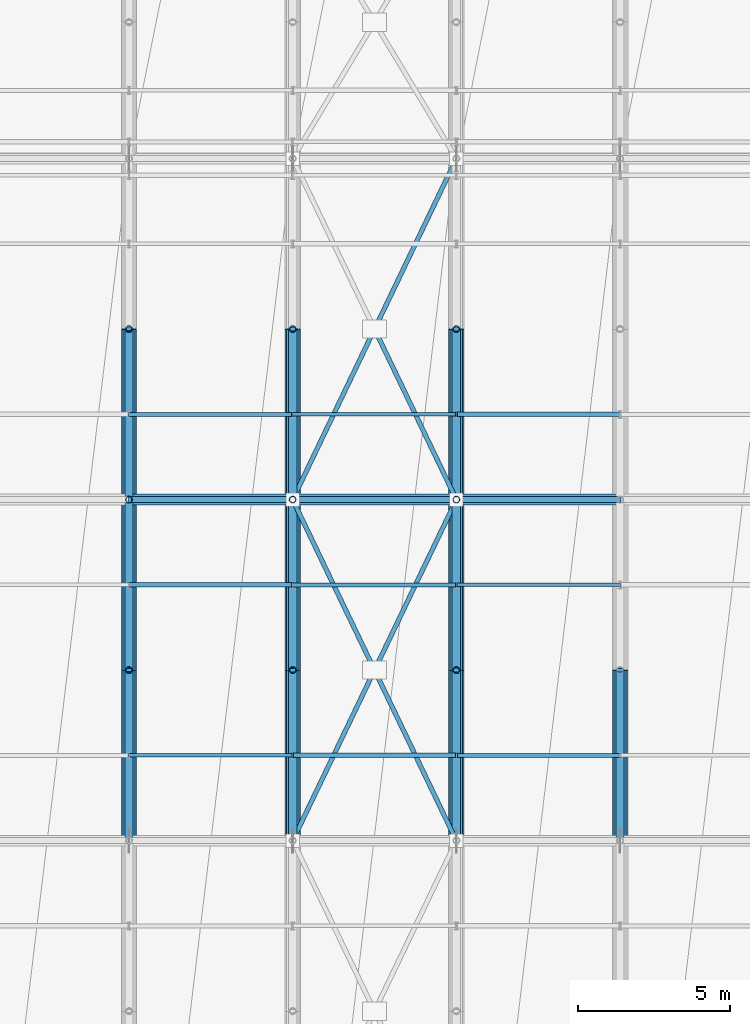
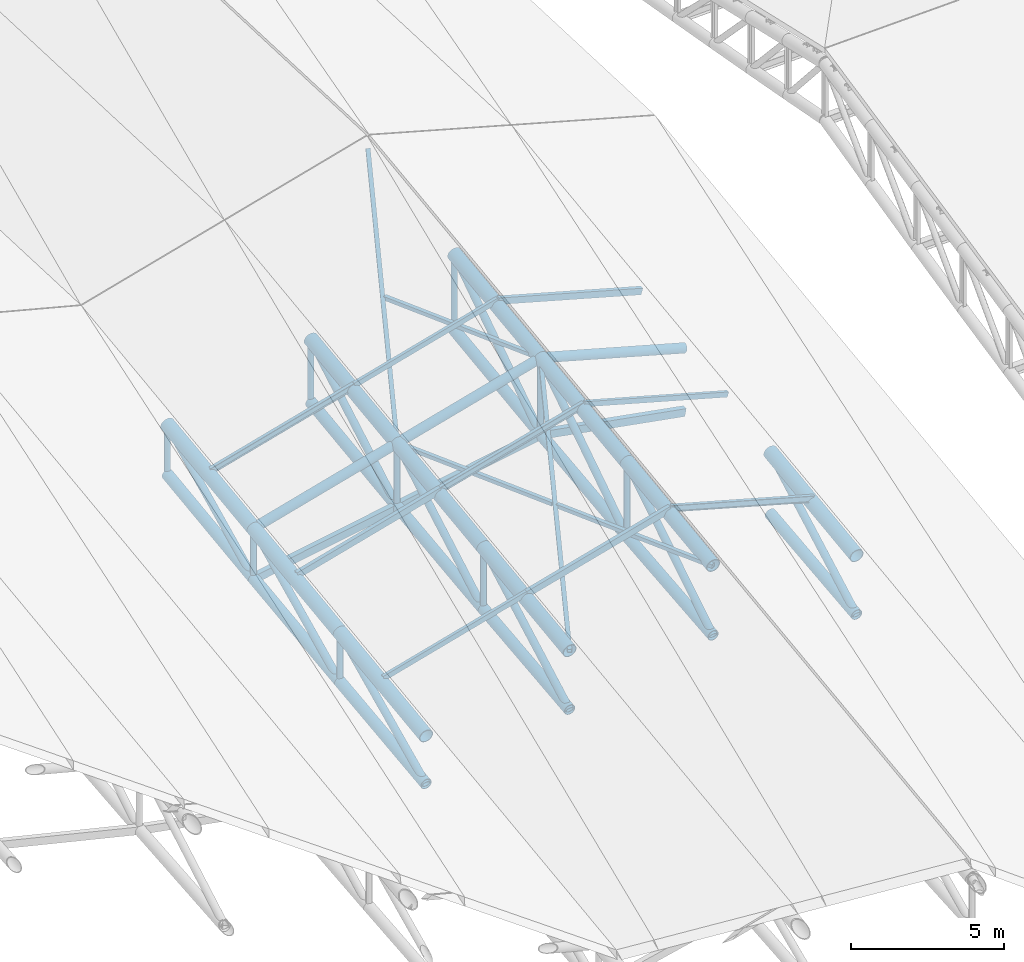
# One storey, part 41 of 109: 39 members, 20 beams.
"""IFC4 building model written with IfcOpenShell, lengths in metres."""

from ifc_helpers import new_model, si_unit, direction, frame, origin, origin_2d, place, context, subcontext, project, spatial, hollow_rectangle, hollow_circle, i_section, extrude, material, material_profile, profile_set, type_object, element, save


model = new_model("IFC4")

# Units and contexts
model_context = context("Model", 3, precision=1e-05, world=origin(), true_north=direction((0.0, 1.0)))
body_context = subcontext(model_context, "Body", "Model", "MODEL_VIEW")
ifc_project = project(units=[si_unit("LENGTHUNIT", "METRE"), si_unit("AREAUNIT", "SQUARE_METRE"), si_unit("VOLUMEUNIT", "CUBIC_METRE"), si_unit("PLANEANGLEUNIT", "RADIAN"), si_unit("MASSUNIT", "GRAM", prefix="KILO")], contexts=[model_context])

# Site, building, storey
site_placement = place(None, origin())
site = spatial("IfcSite", under=ifc_project, at=site_placement, CompositionType="ELEMENT")
building_placement = place(site_placement, origin())
building = spatial("IfcBuilding", under=site, at=building_placement, Name="Suirenkawa Promenade Aquatics Centre", CompositionType="ELEMENT")
storey_placement = place(building_placement, frame((0.0, 0.0, 22.800048828125)))
storey = spatial("IfcBuildingStorey", under=building, at=storey_placement, Name="ROOF", CompositionType="ELEMENT", Elevation=22.800048828125)

# Beams
ifc_material = material(Name="Steel IS 2062 E350 (Grade 350)", Category="steel")
ifc_material_profile_1 = material_profile(ifc_material, hollow_circle(Radius=0.202880859375, WallThickness=0.01806640625, at=origin_2d()), Name="CHS 406x18", Category="steel")
ifc_profile_set_1 = profile_set([ifc_material_profile_1], Name="Steel IS 2062 E350 (Grade 350)")
beam_type_1 = type_object("IfcBeamType", Name="BT-BC-CHS406", PredefinedType="BEAM", material=ifc_profile_set_1)
beam_1_placement = place(storey_placement, frame((133.199951171875, 72.89990234375, -14.008056640625), z_axis=(0.0, 0.993022923404, 0.117921472154), x_axis=(-1.0, 0.0, 0.0)))
element("IfcBeam", 1, at=beam_1_placement, inside=storey, type_object=beam_type_1, Name="ROOF TRUSS V1 bottom chord BC-01 BM-2264", PredefinedType="BEAM", context=body_context, shape_type="SweptSolid", body=[
    extrude(hollow_circle(Radius=0.202880859375, WallThickness=0.01806640625, at=origin_2d()), origin(), (0.0, 0.0, 1.0), 5.66455078125),
])
beam_2_placement = place(storey_placement, frame((133.199951171875, 78.52490234375, -13.340087890625), z_axis=(0.0, 0.992409843622, 0.122974396855), x_axis=(-1.0, 0.0, 0.0)))
element("IfcBeam", 2, at=beam_2_placement, inside=storey, type_object=beam_type_1, Name="ROOF TRUSS V1 bottom chord BC-01 BM-2266", PredefinedType="BEAM", context=body_context, shape_type="SweptSolid", body=[
    extrude(hollow_circle(Radius=0.202880859375, WallThickness=0.01806640625, at=origin_2d()), origin(), (0.0, 0.0, 1.0), 5.66796875),
])
beam_3_placement = place(storey_placement, frame((133.199951171875, 84.14990234375, -12.64306640625), z_axis=(0.0, 0.991706164536, 0.128525807609), x_axis=(-1.0, 0.0, 0.0)))
element("IfcBeam", 3, at=beam_3_placement, inside=storey, type_object=beam_type_1, Name="ROOF TRUSS V1 bottom chord BC-01 BM-2268", PredefinedType="BEAM", context=body_context, shape_type="SweptSolid", body=[
    extrude(hollow_circle(Radius=0.202880859375, WallThickness=0.01806640625, at=origin_2d()), origin(), (0.0, 0.0, 1.0), 5.672119140625),
])
beam_4_placement = place(storey_placement, frame((138.60009765625, 72.89990234375, -12.945068359375), z_axis=(0.0, 0.99415070903, 0.108001702461), x_axis=(-1.0, 0.0, 0.0)))
element("IfcBeam", 4, at=beam_4_placement, inside=storey, type_object=beam_type_1, Name="ROOF TRUSS V1 bottom chord BC-01 BM-2292", PredefinedType="BEAM", context=body_context, shape_type="SweptSolid", body=[
    extrude(hollow_circle(Radius=0.202880859375, WallThickness=0.01806640625, at=origin_2d()), origin(), (0.0, 0.0, 1.0), 5.658203125),
])
beam_5_placement = place(storey_placement, frame((138.60009765625, 78.52490234375, -12.333984375), z_axis=(0.0, 0.993002721465, 0.11809146948), x_axis=(-1.0, 0.0, 0.0)))
element("IfcBeam", 5, at=beam_5_placement, inside=storey, type_object=beam_type_1, Name="ROOF TRUSS V1 bottom chord BC-01 BM-2294", PredefinedType="BEAM", context=body_context, shape_type="SweptSolid", body=[
    extrude(hollow_circle(Radius=0.202880859375, WallThickness=0.01806640625, at=origin_2d()), origin(), (0.0, 0.0, 1.0), 5.66455078125),
])
beam_6_placement = place(storey_placement, frame((138.60009765625, 84.14990234375, -11.6650390625), z_axis=(0.0, 0.991662218835, 0.128864439375), x_axis=(-1.0, 0.0, 0.0)))
element("IfcBeam", 6, at=beam_6_placement, inside=storey, type_object=beam_type_1, Name="ROOF TRUSS V1 bottom chord BC-01 BM-2296", PredefinedType="BEAM", context=body_context, shape_type="SweptSolid", body=[
    extrude(hollow_circle(Radius=0.202880859375, WallThickness=0.01806640625, at=origin_2d()), origin(), (0.0, 0.0, 1.0), 5.67236328125),
])
beam_7_placement = place(storey_placement, frame((144.0, 72.89990234375, -11.881103515625), z_axis=(0.0, 0.995219391524, 0.09766454185), x_axis=(-1.0, 0.0, 0.0)))
element("IfcBeam", 7, at=beam_7_placement, inside=storey, type_object=beam_type_1, Name="ROOF TRUSS V1 bottom chord BC-01 BM-2320", PredefinedType="BEAM", context=body_context, shape_type="SweptSolid", body=[
    extrude(hollow_circle(Radius=0.202880859375, WallThickness=0.01806640625, at=origin_2d()), origin(), (0.0, 0.0, 1.0), 5.652099609375),
])
beam_8_placement = place(storey_placement, frame((144.0, 78.52490234375, -11.3291015625), z_axis=(0.0, 0.993547952937, 0.113412808864), x_axis=(-1.0, 0.0, 0.0)))
element("IfcBeam", 8, at=beam_8_placement, inside=storey, type_object=beam_type_1, Name="ROOF TRUSS V1 bottom chord BC-01 BM-2322", PredefinedType="BEAM", context=body_context, shape_type="SweptSolid", body=[
    extrude(hollow_circle(Radius=0.202880859375, WallThickness=0.01806640625, at=origin_2d()), origin(), (0.0, 0.0, 1.0), 5.66162109375),
])
beam_9_placement = place(storey_placement, frame((144.0, 84.14990234375, -10.68701171875), z_axis=(0.0, 0.991596090831, 0.129372302476), x_axis=(-1.0, 0.0, 0.0)))
element("IfcBeam", 9, at=beam_9_placement, inside=storey, type_object=beam_type_1, Name="ROOF TRUSS V1 bottom chord BC-01 BM-2324", PredefinedType="BEAM", context=body_context, shape_type="SweptSolid", body=[
    extrude(hollow_circle(Radius=0.202880859375, WallThickness=0.01806640625, at=origin_2d()), origin(), (0.0, 0.0, 1.0), 5.672607421875),
])
beam_10_placement = place(storey_placement, frame((149.39990234375, 72.89990234375, -12.945068359375), z_axis=(0.0, 0.99415070903, 0.108001702461), x_axis=(-1.0, 0.0, 0.0)))
element("IfcBeam", 10, at=beam_10_placement, inside=storey, type_object=beam_type_1, Name="ROOF TRUSS V1 bottom chord BC-01 BM-2348", PredefinedType="BEAM", context=body_context, shape_type="SweptSolid", body=[
    extrude(hollow_circle(Radius=0.202880859375, WallThickness=0.01806640625, at=origin_2d()), origin(), (0.0, 0.0, 1.0), 5.658203125),
])
ifc_material_profile_2 = material_profile(ifc_material, hollow_circle(Radius=0.25390625, WallThickness=0.02392578125, at=origin_2d()), Name="CHS 508x24", Category="steel")
ifc_profile_set_2 = profile_set([ifc_material_profile_2], Name="Steel IS 2062 E350 (Grade 350)")
beam_type_2 = type_object("IfcBeamType", Name="BT-TC-CHS508", PredefinedType="BEAM", material=ifc_profile_set_2)
for number, where, z_axis, x_axis, name in (
    (11, (133.199951171875, 72.89990234375, -12.10009765625), (0.0, 0.991793720609, 0.127848409297), (-1.0, 0.0, 0.0), "ROOF TRUSS V1 top chord TC-02 BM-2263"),
    (12, (133.199951171875, 78.52490234375, -11.375), (0.0, 0.991799178012, 0.127806065951), (-1.0, 0.0, 0.0), "ROOF TRUSS V1 top chord TC-02 BM-2265"),
    (13, (133.199951171875, 84.14990234375, -10.650146484375), (0.0, 0.991793720609, 0.127848409297), (-1.0, 0.0, 0.0), "ROOF TRUSS V1 top chord TC-02 BM-2267"),
    (14, (138.60009765625, 72.89990234375, -10.60009765625), (0.0, 0.991793720609, 0.127848409297), (-1.0, 0.0, 0.0), "ROOF TRUSS V1 top chord TC-02 BM-2291"),
    (15, (138.60009765625, 78.52490234375, -9.875), (0.0, 0.991799178012, 0.127806065951), (-1.0, 0.0, 0.0), "ROOF TRUSS V1 top chord TC-02 BM-2293"),
    (16, (138.60009765625, 84.14990234375, -9.150146484375), (0.0, 0.991793720609, 0.127848409297), (-1.0, 0.0, 0.0), "ROOF TRUSS V1 top chord TC-02 BM-2295"),
    (17, (144.0, 72.89990234375, -9.10009765625), (0.0, 0.991793720609, 0.127848409297), (-1.0, 0.0, 0.0), "ROOF TRUSS V1 top chord TC-02 BM-2319"),
    (18, (144.0, 78.52490234375, -8.375), (0.0, 0.991799178012, 0.127806065951), (-1.0, 0.0, 0.0), "ROOF TRUSS V1 top chord TC-02 BM-2321"),
    (19, (144.0, 84.14990234375, -7.650146484375), (0.0, 0.991793720609, 0.127848409297), (-1.0, 0.0, 0.0), "ROOF TRUSS V1 top chord TC-02 BM-2323"),
    (20, (149.39990234375, 72.89990234375, -10.60009765625), (0.0, 0.991793720609, 0.127848409297), (-1.0, 0.0, 0.0), "ROOF TRUSS V1 top chord TC-02 BM-2347"),
):
    element("IfcBeam", number, at=place(storey_placement, frame(where, z_axis=z_axis, x_axis=x_axis)), inside=storey, type_object=beam_type_2, Name=name, PredefinedType="BEAM", context=body_context, shape_type="SweptSolid", body=[
        extrude(hollow_circle(Radius=0.25390625, WallThickness=0.02392578125, at=origin_2d()), origin(), (0.0, 0.0, 1.0), 5.671630859375),
    ])

# Members
ifc_material_profile_3 = material_profile(ifc_material, hollow_rectangle(XDim=0.14990234375, YDim=0.14990234375, WallThickness=0.008056640625, at=origin_2d()), Name="SHS 150x150x8", Category="steel")
ifc_profile_set_3 = profile_set([ifc_material_profile_3], Name="Steel IS 2062 E350 (Grade 350)")
member_type_1 = type_object("IfcMemberType", Name="MT-BRACE-SHS150", PredefinedType="BRACE", material=ifc_profile_set_3)
member_1_placement = place(storey_placement, frame((138.60009765625, 72.89990234375, -10.60009765625), z_axis=(0.421117950341, 0.877344929548, 0.230055529161), x_axis=(-0.901526110403, 0.432724707246, 0.0)))
element("IfcMember", 21, at=member_1_placement, inside=storey, type_object=member_type_1, Name="ROOF TRUSS V1 continuous plan brace BF-02 MB-0959", PredefinedType="BRACE", context=body_context, shape_type="SweptSolid", body=[
    extrude(hollow_rectangle(XDim=0.14990234375, YDim=0.14990234375, WallThickness=0.008056640625, at=origin_2d()), origin(), (0.0, 0.0, 1.0), 12.82275390625),
])
member_2_placement = place(storey_placement, frame((144.0, 72.89990234375, -9.10009765625), z_axis=(-0.432727524929, 0.901515676935, -0.004046406999), x_axis=(-0.901523057468, -0.432731067585, 0.0)))
element("IfcMember", 22, at=member_2_placement, inside=storey, type_object=member_type_1, Name="ROOF TRUSS V1 split plan brace A BF-02 MB-0960", PredefinedType="BRACE", context=body_context, shape_type="SweptSolid", body=[
    extrude(hollow_rectangle(XDim=0.14990234375, YDim=0.14990234375, WallThickness=0.008056640625, at=origin_2d()), origin(), (0.0, 0.0, 1.0), 6.154296875),
])
member_3_placement = place(storey_placement, frame((141.262939453125, 78.60205078125, -9.125), z_axis=(-0.432710687901, 0.901523578607, -0.004086293284), x_axis=(-0.901531105428, -0.432714300603, 0.0)))
element("IfcMember", 23, at=member_3_placement, inside=storey, type_object=member_type_1, Name="ROOF TRUSS V1 split plan brace B BF-02 MB-0961", PredefinedType="BRACE", context=body_context, shape_type="SweptSolid", body=[
    extrude(hollow_rectangle(XDim=0.14990234375, YDim=0.14990234375, WallThickness=0.008056640625, at=origin_2d()), origin(), (0.0, 0.0, 1.0), 6.15380859375),
])
member_4_placement = place(storey_placement, frame((138.60009765625, 84.14990234375, -9.150146484375), z_axis=(0.421116105711, 0.877341086497, 0.230073560964), x_axis=(-0.901526110403, 0.432724707246, 0.0)))
element("IfcMember", 24, at=member_4_placement, inside=storey, type_object=member_type_1, Name="ROOF TRUSS V1 continuous plan brace BF-02 MB-0962", PredefinedType="BRACE", context=body_context, shape_type="SweptSolid", body=[
    extrude(hollow_rectangle(XDim=0.14990234375, YDim=0.14990234375, WallThickness=0.008056640625, at=origin_2d()), origin(), (0.0, 0.0, 1.0), 12.82275390625),
])
member_5_placement = place(storey_placement, frame((144.0, 84.14990234375, -7.650146484375), z_axis=(-0.432727524929, 0.901515676935, -0.004046406999), x_axis=(-0.901523057468, -0.432731067585, 0.0)))
element("IfcMember", 25, at=member_5_placement, inside=storey, type_object=member_type_1, Name="ROOF TRUSS V1 split plan brace A BF-02 MB-0963", PredefinedType="BRACE", context=body_context, shape_type="SweptSolid", body=[
    extrude(hollow_rectangle(XDim=0.14990234375, YDim=0.14990234375, WallThickness=0.008056640625, at=origin_2d()), origin(), (0.0, 0.0, 1.0), 6.154296875),
])
ifc_material_profile_4 = material_profile(ifc_material, hollow_circle(Radius=0.177978515625, WallThickness=0.01611328125, at=origin_2d()), Name="CHS 356x16", Category="steel")
ifc_profile_set_4 = profile_set([ifc_material_profile_4], Name="Steel IS 2062 E350 (Grade 350)")
member_type_2 = type_object("IfcMemberType", Name="MT-CHORD-CHS356", PredefinedType="CHORD", material=ifc_profile_set_4)
member_6_placement = place(storey_placement, frame((133.199951171875, 84.14990234375, -10.650146484375), z_axis=(0.963519781844, 0.0, 0.267637123724), x_axis=(0.0, 1.0, 0.0)))
element("IfcMember", 26, at=member_6_placement, inside=storey, type_object=member_type_2, Name="ROOF TRUSS V1 tie chord CH-02 MB-0800", PredefinedType="CHORD", context=body_context, shape_type="SweptSolid", body=[
    extrude(hollow_circle(Radius=0.177978515625, WallThickness=0.01611328125, at=origin_2d()), origin(), (0.0, 0.0, 1.0), 5.6044921875),
])
for number, where, z_axis, x_axis, name in (
    (27, (138.60009765625, 84.14990234375, -9.150146484375), (0.963516661409, 0.0, 0.267648357342), (0.0, 1.0, 0.0), "ROOF TRUSS V1 tie chord CH-02 MB-0802"),
    (28, (144.0, 84.14990234375, -7.650146484375), (0.963516661409, 0.0, -0.267648357342), (0.0, 1.0, 0.0), "ROOF TRUSS V1 tie chord CH-02 MB-0804"),
):
    element("IfcMember", number, at=place(storey_placement, frame(where, z_axis=z_axis, x_axis=x_axis)), inside=storey, type_object=member_type_2, Name=name, PredefinedType="CHORD", context=body_context, shape_type="SweptSolid", body=[
        extrude(hollow_circle(Radius=0.177978515625, WallThickness=0.01611328125, at=origin_2d()), origin(), (0.0, 0.0, 1.0), 5.604248046875),
    ])
ifc_material_profile_5 = material_profile(ifc_material, hollow_rectangle(XDim=0.199951171875, YDim=0.300048828125, WallThickness=0.011962890625, at=origin_2d()), Name="RHS 300x200x12", Category="steel")
ifc_profile_set_5 = profile_set([ifc_material_profile_5], Name="Steel IS 2062 E350 (Grade 350)")
member_type_3 = type_object("IfcMemberType", Name="MT-CHORD-RHS300", PredefinedType="CHORD", material=ifc_profile_set_5)
member_7_placement = place(storey_placement, frame((133.199951171875, 84.14990234375, -12.64306640625), z_axis=(0.983992105939, 0.0, 0.178212051919), x_axis=(0.0, 1.0, 0.0)))
element("IfcMember", 29, at=member_7_placement, inside=storey, type_object=member_type_3, Name="ROOF TRUSS V1 bottom tie CH-03 MB-0801", PredefinedType="CHORD", context=body_context, shape_type="SweptSolid", body=[
    extrude(hollow_rectangle(XDim=0.199951171875, YDim=0.300048828125, WallThickness=0.011962890625, at=origin_2d()), origin(), (0.0, 0.0, 1.0), 5.488037109375),
])
for number, where, z_axis, x_axis, name in (
    (30, (138.60009765625, 84.14990234375, -11.6650390625), (0.983990692983, 0.0, 0.178219853336), (0.0, 1.0, 0.0), "ROOF TRUSS V1 bottom tie CH-03 MB-0803"),
    (31, (144.0, 84.14990234375, -10.68701171875), (0.983990692983, 0.0, -0.178219853336), (0.0, 1.0, 0.0), "ROOF TRUSS V1 bottom tie CH-03 MB-0805"),
):
    element("IfcMember", number, at=place(storey_placement, frame(where, z_axis=z_axis, x_axis=x_axis)), inside=storey, type_object=member_type_3, Name=name, PredefinedType="CHORD", context=body_context, shape_type="SweptSolid", body=[
        extrude(hollow_rectangle(XDim=0.199951171875, YDim=0.300048828125, WallThickness=0.011962890625, at=origin_2d()), origin(), (0.0, 0.0, 1.0), 5.48779296875),
    ])
ifc_material_profile_6 = material_profile(ifc_material, i_section(OverallWidth=0.125, OverallDepth=0.25, WebThickness=0.007080078125, FlangeThickness=0.012939453125, at=origin_2d()), Name="ISMB 250", Category="steel")
ifc_profile_set_6 = profile_set([ifc_material_profile_6], Name="Steel IS 2062 E350 (Grade 350)")
member_type_4 = type_object("IfcMemberType", Name="MT-PURLIN-ISMB250", PredefinedType="PURLIN", material=ifc_profile_set_6)
member_8_placement = place(storey_placement, frame((133.199951171875, 86.962890625, -10.067138671875), z_axis=(0.963519781844, 0.0, 0.267637123724), x_axis=(0.0, 1.0, 0.0)))
element("IfcMember", 32, at=member_8_placement, inside=storey, type_object=member_type_4, Name="ROOF TRUSS Roof purlin PU-04 MB-2277", PredefinedType="PURLIN", context=body_context, shape_type="SweptSolid", body=[
    extrude(i_section(OverallWidth=0.125, OverallDepth=0.25, WebThickness=0.007080078125, FlangeThickness=0.012939453125, at=origin_2d()), origin(), (0.0, 0.0, 1.0), 5.6044921875),
])
for number, where, z_axis, x_axis, name in (
    (33, (138.60009765625, 81.337890625, -9.2919921875), (0.963516661409, 0.0, 0.267648357342), (0.0, 1.0, 0.0), "ROOF TRUSS Roof purlin PU-04 MB-2311"),
    (34, (144.0, 75.712890625, -8.51611328125), (0.963516661409, 0.0, -0.267648357342), (0.0, 1.0, 0.0), "ROOF TRUSS Roof purlin PU-04 MB-2345"),
):
    element("IfcMember", number, at=place(storey_placement, frame(where, z_axis=z_axis, x_axis=x_axis)), inside=storey, type_object=member_type_4, Name=name, PredefinedType="PURLIN", context=body_context, shape_type="SweptSolid", body=[
        extrude(i_section(OverallWidth=0.125, OverallDepth=0.25, WebThickness=0.007080078125, FlangeThickness=0.012939453125, at=origin_2d()), origin(), (0.0, 0.0, 1.0), 5.604248046875),
    ])
ifc_material_profile_7 = material_profile(ifc_material, hollow_rectangle(XDim=0.1201171875, YDim=0.199951171875, WallThickness=0.008056640625, at=origin_2d()), Name="RHS 200x120x8", Category="steel")
ifc_profile_set_7 = profile_set([ifc_material_profile_7], Name="Steel IS 2062 E350 (Grade 350)")
member_type_5 = type_object("IfcMemberType", Name="MT-PURLIN-RHS200", PredefinedType="PURLIN", material=ifc_profile_set_7)
member_9_placement = place(storey_placement, frame((133.199951171875, 75.712890625, -11.490966796875), z_axis=(0.963519781844, 0.0, 0.267637123724), x_axis=(0.0, 1.0, 0.0)))
element("IfcMember", 35, at=member_9_placement, inside=storey, type_object=member_type_5, Name="ROOF TRUSS Roof purlin PU-02 MB-2273", PredefinedType="PURLIN", context=body_context, shape_type="SweptSolid", body=[
    extrude(hollow_rectangle(XDim=0.1201171875, YDim=0.199951171875, WallThickness=0.008056640625, at=origin_2d()), origin(), (0.0, 0.0, 1.0), 5.6044921875),
])
for number, where, z_axis, x_axis, name in (
    (36, (138.60009765625, 86.962890625, -8.541015625), (0.963516661409, 0.0, 0.267648357342), (0.0, 1.0, 0.0), "ROOF TRUSS Roof purlin PU-02 MB-2313"),
    (37, (144.0, 81.337890625, -7.76611328125), (0.963516661409, 0.0, -0.267648357342), (0.0, 1.0, 0.0), "ROOF TRUSS Roof purlin PU-02 MB-2347"),
):
    element("IfcMember", number, at=place(storey_placement, frame(where, z_axis=z_axis, x_axis=x_axis)), inside=storey, type_object=member_type_5, Name=name, PredefinedType="PURLIN", context=body_context, shape_type="SweptSolid", body=[
        extrude(hollow_rectangle(XDim=0.1201171875, YDim=0.199951171875, WallThickness=0.008056640625, at=origin_2d()), origin(), (0.0, 0.0, 1.0), 5.604248046875),
    ])
ifc_material_profile_8 = material_profile(ifc_material, hollow_rectangle(XDim=0.14990234375, YDim=0.25, WallThickness=0.010009765625, at=origin_2d()), Name="RHS 250x150x10", Category="steel")
ifc_profile_set_8 = profile_set([ifc_material_profile_8], Name="Steel IS 2062 E350 (Grade 350)")
member_type_6 = type_object("IfcMemberType", Name="MT-PURLIN-RHS250", PredefinedType="PURLIN", material=ifc_profile_set_8)
member_10_placement = place(storey_placement, frame((133.199951171875, 81.337890625, -10.79296875), z_axis=(0.963519781844, 0.0, 0.267637123724), x_axis=(0.0, 1.0, 0.0)))
element("IfcMember", 38, at=member_10_placement, inside=storey, type_object=member_type_6, Name="ROOF TRUSS Roof purlin PU-03 MB-2275", PredefinedType="PURLIN", context=body_context, shape_type="SweptSolid", body=[
    extrude(hollow_rectangle(XDim=0.14990234375, YDim=0.25, WallThickness=0.010009765625, at=origin_2d()), origin(), (0.0, 0.0, 1.0), 5.6044921875),
])
for number, where, z_axis, x_axis, name in (
    (39, (138.60009765625, 75.712890625, -10.01806640625), (0.963516661409, 0.0, 0.267648357342), (0.0, 1.0, 0.0), "ROOF TRUSS Roof purlin PU-03 MB-2309"),
    (40, (144.0, 86.962890625, -7.068115234375), (0.963516661409, 0.0, -0.267648357342), (0.0, 1.0, 0.0), "ROOF TRUSS Roof purlin PU-03 MB-2349"),
):
    element("IfcMember", number, at=place(storey_placement, frame(where, z_axis=z_axis, x_axis=x_axis)), inside=storey, type_object=member_type_6, Name=name, PredefinedType="PURLIN", context=body_context, shape_type="SweptSolid", body=[
        extrude(hollow_rectangle(XDim=0.14990234375, YDim=0.25, WallThickness=0.010009765625, at=origin_2d()), origin(), (0.0, 0.0, 1.0), 5.604248046875),
    ])
ifc_material_profile_9 = material_profile(ifc_material, hollow_circle(Radius=0.110107421875, WallThickness=0.010009765625, at=origin_2d()), Name="CHS 220x10", Category="steel")
ifc_profile_set_9 = profile_set([ifc_material_profile_9], Name="Steel IS 2062 E350 (Grade 350)")
member_type_7 = type_object("IfcMemberType", Name="MT-WEB-CHS220", PredefinedType="BRACE", material=ifc_profile_set_9)
member_11_placement = place(storey_placement, frame((133.199951171875, 78.52490234375, -13.340087890625), z_axis=(0.0, 0.0, 1.0), x_axis=(1.0, 0.0, 0.0)))
element("IfcMember", 41, at=member_11_placement, inside=storey, type_object=member_type_7, Name="ROOF TRUSS V1 web post TD-01 MB-0451", PredefinedType="BRACE", context=body_context, shape_type="SweptSolid", body=[
    extrude(hollow_circle(Radius=0.110107421875, WallThickness=0.010009765625, at=origin_2d()), origin(), (0.0, 0.0, 1.0), 1.965087890625),
])
member_12_placement = place(storey_placement, frame((133.199951171875, 84.14990234375, -12.64306640625), z_axis=(0.0, 0.0, 1.0), x_axis=(1.0, 0.0, 0.0)))
element("IfcMember", 42, at=member_12_placement, inside=storey, type_object=member_type_7, Name="ROOF TRUSS V1 web post TD-01 MB-0452", PredefinedType="BRACE", context=body_context, shape_type="SweptSolid", body=[
    extrude(hollow_circle(Radius=0.110107421875, WallThickness=0.010009765625, at=origin_2d()), origin(), (0.0, 0.0, 1.0), 1.992919921875),
])
member_13_placement = place(storey_placement, frame((133.199951171875, 89.77490234375, -11.9140625), z_axis=(0.0, 0.0, 1.0), x_axis=(1.0, 0.0, 0.0)))
element("IfcMember", 43, at=member_13_placement, inside=storey, type_object=member_type_7, Name="ROOF TRUSS V1 web post TD-01 MB-0453", PredefinedType="BRACE", context=body_context, shape_type="SweptSolid", body=[
    extrude(hollow_circle(Radius=0.110107421875, WallThickness=0.010009765625, at=origin_2d()), origin(), (0.0, 0.0, 1.0), 1.989013671875),
])
member_14_placement = place(storey_placement, frame((138.60009765625, 78.52490234375, -12.333984375), z_axis=(0.0, 0.0, 1.0), x_axis=(1.0, 0.0, 0.0)))
element("IfcMember", 44, at=member_14_placement, inside=storey, type_object=member_type_7, Name="ROOF TRUSS V1 web post TD-01 MB-0478", PredefinedType="BRACE", context=body_context, shape_type="SweptSolid", body=[
    extrude(hollow_circle(Radius=0.110107421875, WallThickness=0.010009765625, at=origin_2d()), origin(), (0.0, 0.0, 1.0), 2.458984375),
])
member_15_placement = place(storey_placement, frame((138.60009765625, 84.14990234375, -11.6650390625), z_axis=(0.0, 0.0, 1.0), x_axis=(1.0, 0.0, 0.0)))
element("IfcMember", 45, at=member_15_placement, inside=storey, type_object=member_type_7, Name="ROOF TRUSS V1 web post TD-01 MB-0479", PredefinedType="BRACE", context=body_context, shape_type="SweptSolid", body=[
    extrude(hollow_circle(Radius=0.110107421875, WallThickness=0.010009765625, at=origin_2d()), origin(), (0.0, 0.0, 1.0), 2.514892578125),
])
member_16_placement = place(storey_placement, frame((138.60009765625, 89.77490234375, -10.93408203125), z_axis=(0.0, 0.0, 1.0), x_axis=(1.0, 0.0, 0.0)))
element("IfcMember", 46, at=member_16_placement, inside=storey, type_object=member_type_7, Name="ROOF TRUSS V1 web post TD-01 MB-0480", PredefinedType="BRACE", context=body_context, shape_type="SweptSolid", body=[
    extrude(hollow_circle(Radius=0.110107421875, WallThickness=0.010009765625, at=origin_2d()), origin(), (0.0, 0.0, 1.0), 2.509033203125),
])
member_17_placement = place(storey_placement, frame((144.0, 78.52490234375, -11.3291015625), z_axis=(0.0, 0.0, 1.0), x_axis=(1.0, 0.0, 0.0)))
element("IfcMember", 47, at=member_17_placement, inside=storey, type_object=member_type_7, Name="ROOF TRUSS V1 web post TD-01 MB-0505", PredefinedType="BRACE", context=body_context, shape_type="SweptSolid", body=[
    extrude(hollow_circle(Radius=0.110107421875, WallThickness=0.010009765625, at=origin_2d()), origin(), (0.0, 0.0, 1.0), 2.9541015625),
])
member_18_placement = place(storey_placement, frame((144.0, 84.14990234375, -10.68701171875), z_axis=(0.0, 0.0, 1.0), x_axis=(1.0, 0.0, 0.0)))
element("IfcMember", 48, at=member_18_placement, inside=storey, type_object=member_type_7, Name="ROOF TRUSS V1 web post TD-01 MB-0506", PredefinedType="BRACE", context=body_context, shape_type="SweptSolid", body=[
    extrude(hollow_circle(Radius=0.110107421875, WallThickness=0.010009765625, at=origin_2d()), origin(), (0.0, 0.0, 1.0), 3.036865234375),
])
member_19_placement = place(storey_placement, frame((144.0, 89.77490234375, -9.953125), z_axis=(0.0, 0.0, 1.0), x_axis=(1.0, 0.0, 0.0)))
element("IfcMember", 49, at=member_19_placement, inside=storey, type_object=member_type_7, Name="ROOF TRUSS V1 web post TD-01 MB-0507", PredefinedType="BRACE", context=body_context, shape_type="SweptSolid", body=[
    extrude(hollow_circle(Radius=0.110107421875, WallThickness=0.010009765625, at=origin_2d()), origin(), (0.0, 0.0, 1.0), 3.028076171875),
])
ifc_material_profile_10 = material_profile(ifc_material, hollow_circle(Radius=0.136962890625, WallThickness=0.011962890625, at=origin_2d()), Name="CHS 274x12", Category="steel")
ifc_profile_set_10 = profile_set([ifc_material_profile_10], Name="Steel IS 2062 E350 (Grade 350)")
member_type_8 = type_object("IfcMemberType", Name="MT-WEB-CHS274", PredefinedType="BRACE", material=ifc_profile_set_10)
member_20_placement = place(storey_placement, frame((133.199951171875, 72.89990234375, -14.008056640625), z_axis=(0.0, 0.905685409546, 0.423950396786), x_axis=(-1.0, 0.0, 0.0)))
element("IfcMember", 50, at=member_20_placement, inside=storey, type_object=member_type_8, Name="ROOF TRUSS V1 web diagonal TD-02 MB-0437", PredefinedType="BRACE", context=body_context, shape_type="SweptSolid", body=[
    extrude(hollow_circle(Radius=0.136962890625, WallThickness=0.011962890625, at=origin_2d()), origin(), (0.0, 0.0, 1.0), 6.210693359375),
])
member_21_placement = place(storey_placement, frame((133.199951171875, 78.52490234375, -13.340087890625), z_axis=(0.0, 0.902151449503, 0.431419473551), x_axis=(-1.0, 0.0, 0.0)))
element("IfcMember", 51, at=member_21_placement, inside=storey, type_object=member_type_8, Name="ROOF TRUSS V1 web diagonal TD-02 MB-0438", PredefinedType="BRACE", context=body_context, shape_type="SweptSolid", body=[
    extrude(hollow_circle(Radius=0.136962890625, WallThickness=0.011962890625, at=origin_2d()), origin(), (0.0, 0.0, 1.0), 6.235107421875),
])
member_22_placement = place(storey_placement, frame((133.199951171875, 84.14990234375, -12.64306640625), z_axis=(0.0, 0.900394882461, 0.435073620939), x_axis=(-1.0, 0.0, 0.0)))
element("IfcMember", 52, at=member_22_placement, inside=storey, type_object=member_type_8, Name="ROOF TRUSS V1 web diagonal TD-02 MB-0439", PredefinedType="BRACE", context=body_context, shape_type="SweptSolid", body=[
    extrude(hollow_circle(Radius=0.136962890625, WallThickness=0.011962890625, at=origin_2d()), origin(), (0.0, 0.0, 1.0), 6.247314453125),
])
member_23_placement = place(storey_placement, frame((138.60009765625, 72.89990234375, -12.945068359375), z_axis=(0.0, 0.877771786626, 0.479079002466), x_axis=(-1.0, 0.0, 0.0)))
element("IfcMember", 53, at=member_23_placement, inside=storey, type_object=member_type_8, Name="ROOF TRUSS V1 web diagonal TD-02 MB-0464", PredefinedType="BRACE", context=body_context, shape_type="SweptSolid", body=[
    extrude(hollow_circle(Radius=0.136962890625, WallThickness=0.011962890625, at=origin_2d()), origin(), (0.0, 0.0, 1.0), 6.408203125),
])
member_24_placement = place(storey_placement, frame((138.60009765625, 78.52490234375, -12.333984375), z_axis=(0.0, 0.870265103873, 0.492583646684), x_axis=(-1.0, 0.0, 0.0)))
element("IfcMember", 54, at=member_24_placement, inside=storey, type_object=member_type_8, Name="ROOF TRUSS V1 web diagonal TD-02 MB-0465", PredefinedType="BRACE", context=body_context, shape_type="SweptSolid", body=[
    extrude(hollow_circle(Radius=0.136962890625, WallThickness=0.011962890625, at=origin_2d()), origin(), (0.0, 0.0, 1.0), 6.463623046875),
])
member_25_placement = place(storey_placement, frame((138.60009765625, 84.14990234375, -11.6650390625), z_axis=(0.0, 0.866532256755, 0.499121075495), x_axis=(-1.0, 0.0, 0.0)))
element("IfcMember", 55, at=member_25_placement, inside=storey, type_object=member_type_8, Name="ROOF TRUSS V1 web diagonal TD-02 MB-0466", PredefinedType="BRACE", context=body_context, shape_type="SweptSolid", body=[
    extrude(hollow_circle(Radius=0.136962890625, WallThickness=0.011962890625, at=origin_2d()), origin(), (0.0, 0.0, 1.0), 6.491455078125),
])
member_26_placement = place(storey_placement, frame((144.0, 72.89990234375, -11.881103515625), z_axis=(0.0, 0.848643295317, 0.528965553995), x_axis=(-1.0, 0.0, 0.0)))
element("IfcMember", 56, at=member_26_placement, inside=storey, type_object=member_type_8, Name="ROOF TRUSS V1 web diagonal TD-02 MB-0491", PredefinedType="BRACE", context=body_context, shape_type="SweptSolid", body=[
    extrude(hollow_circle(Radius=0.136962890625, WallThickness=0.011962890625, at=origin_2d()), origin(), (0.0, 0.0, 1.0), 6.628173828125),
])
member_27_placement = place(storey_placement, frame((144.0, 78.52490234375, -11.3291015625), z_axis=(0.0, 0.83689665813, 0.547360926274), x_axis=(-1.0, 0.0, 0.0)))
element("IfcMember", 57, at=member_27_placement, inside=storey, type_object=member_type_8, Name="ROOF TRUSS V1 web diagonal TD-02 MB-0492", PredefinedType="BRACE", context=body_context, shape_type="SweptSolid", body=[
    extrude(hollow_circle(Radius=0.136962890625, WallThickness=0.011962890625, at=origin_2d()), origin(), (0.0, 0.0, 1.0), 6.72119140625),
])
member_28_placement = place(storey_placement, frame((144.0, 84.14990234375, -10.68701171875), z_axis=(0.0, 0.831233479962, 0.555923467566), x_axis=(-1.0, 0.0, 0.0)))
element("IfcMember", 58, at=member_28_placement, inside=storey, type_object=member_type_8, Name="ROOF TRUSS V1 web diagonal TD-02 MB-0493", PredefinedType="BRACE", context=body_context, shape_type="SweptSolid", body=[
    extrude(hollow_circle(Radius=0.136962890625, WallThickness=0.011962890625, at=origin_2d()), origin(), (0.0, 0.0, 1.0), 6.76708984375),
])
member_29_placement = place(storey_placement, frame((149.39990234375, 72.89990234375, -12.945068359375), z_axis=(0.0, 0.877771786626, 0.479079002466), x_axis=(-1.0, 0.0, 0.0)))
element("IfcMember", 59, at=member_29_placement, inside=storey, type_object=member_type_8, Name="ROOF TRUSS V1 web diagonal TD-02 MB-0518", PredefinedType="BRACE", context=body_context, shape_type="SweptSolid", body=[
    extrude(hollow_circle(Radius=0.136962890625, WallThickness=0.011962890625, at=origin_2d()), origin(), (0.0, 0.0, 1.0), 6.408203125),
])

save(model, "model.ifc")
